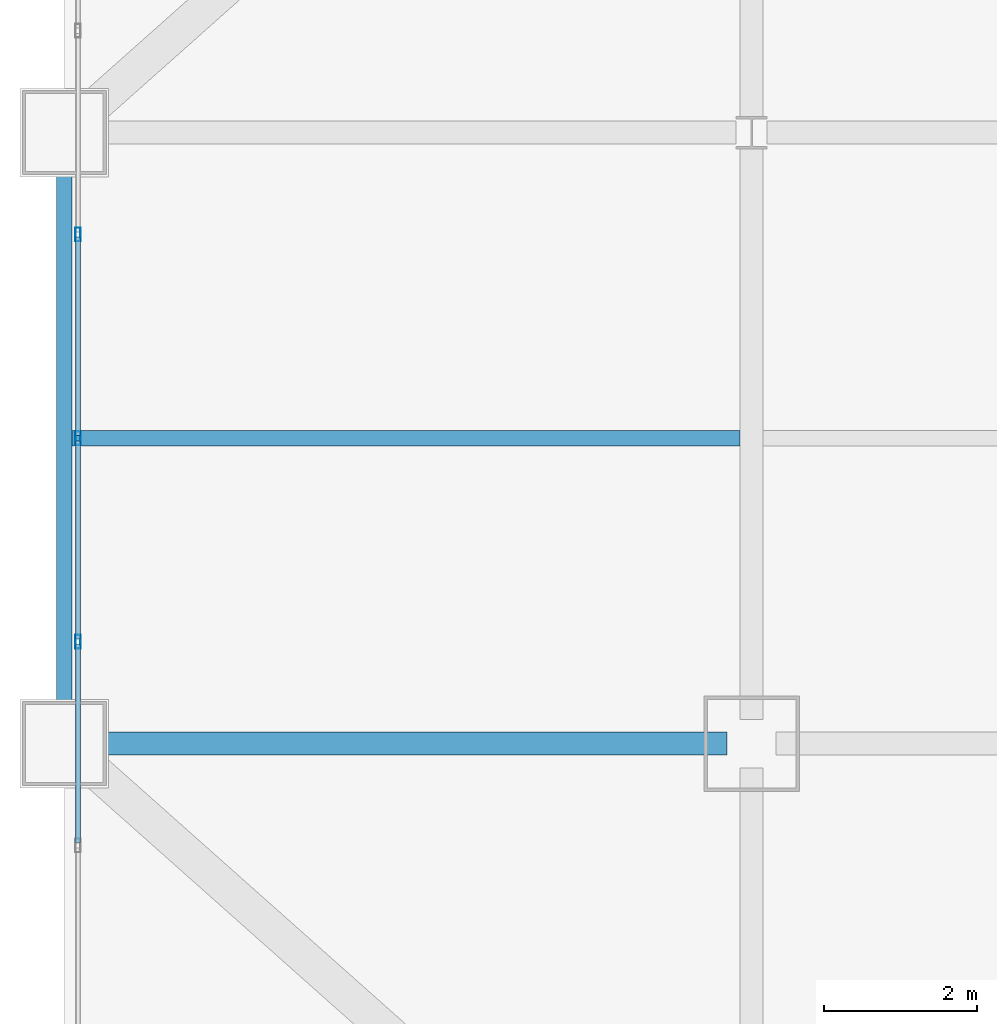
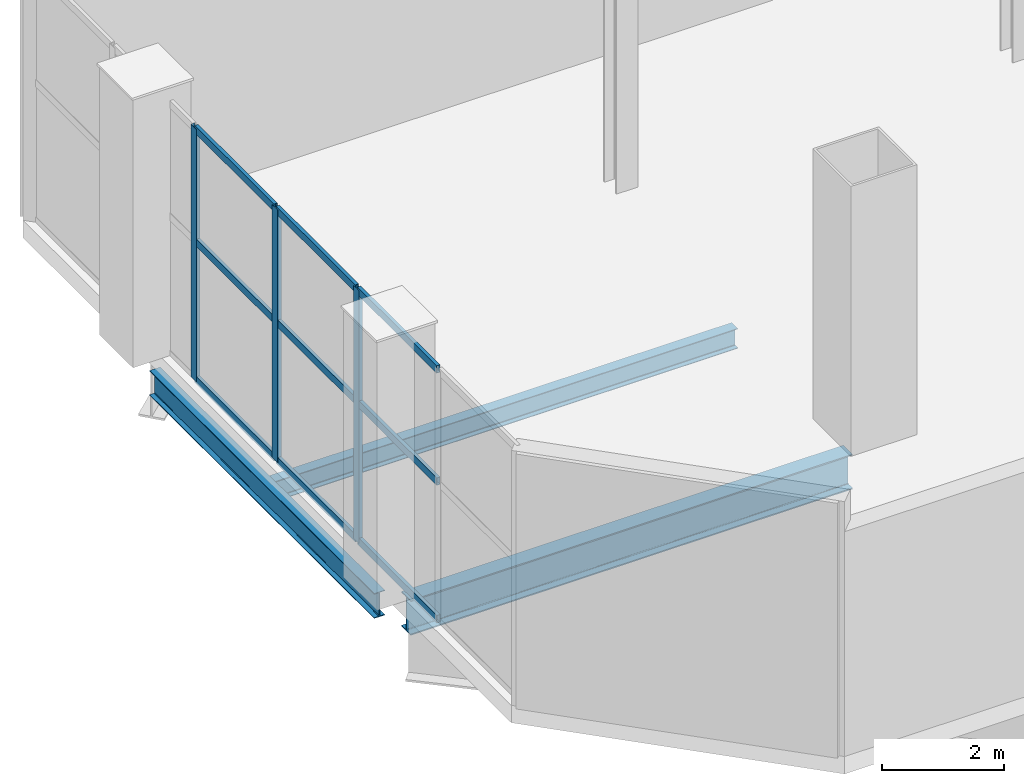
# One storey, part 15 of 26: 12 members, 3 beams, 1 element without a shape of its own.
"""IFC4 building model written with IfcOpenShell, lengths in metres."""

from ifc_helpers import new_model, si_unit, direction, frame, origin, origin_2d, place, context, subcontext, project, spatial, hollow_rectangle, i_section, extrude, material, layer, layer_set, material_profile, profile_set, type_object, element, aggregate, save


model = new_model("IFC4")

# Units and contexts
model_context = context("Model", 3, precision=1e-05, world=origin(), true_north=direction((0.0, 1.0)))
body_context = subcontext(model_context, "Body", "Model", "MODEL_VIEW")
ifc_project = project(units=[si_unit("LENGTHUNIT", "METRE"), si_unit("AREAUNIT", "SQUARE_METRE"), si_unit("VOLUMEUNIT", "CUBIC_METRE"), si_unit("PLANEANGLEUNIT", "RADIAN"), si_unit("MASSUNIT", "GRAM", prefix="KILO")], contexts=[model_context])

# Site, building, storey
site_placement = place(None, origin())
site = spatial("IfcSite", under=ifc_project, at=site_placement, CompositionType="ELEMENT")
building_placement = place(site_placement, origin())
building = spatial("IfcBuilding", under=site, at=building_placement, Name="Qianrong Seaharbour Tower", CompositionType="ELEMENT")
storey_placement = place(building_placement, frame((0.0, 0.0, 108.199951171875)))
storey = spatial("IfcBuildingStorey", under=building, at=storey_placement, Name="L26", CompositionType="ELEMENT", Elevation=108.199951171875)

# Beams
ifc_material_1 = material(Name="Structural steel SN490B", Category="steel")
ifc_material_profile_1 = material_profile(ifc_material_1, i_section(OverallWidth=0.300048828125, OverallDepth=0.699951171875, WebThickness=0.012939453125, FlangeThickness=0.02392578125, FilletRadius=0.02587890625, at=origin_2d()), Name="H700x300x13x24")
ifc_profile_set_1 = profile_set([ifc_material_profile_1], Name="Structural steel SN490B")
beam_type_1 = type_object("IfcBeamType", Name="BM-G-700", PredefinedType="BEAM", material=ifc_profile_set_1)
beam_1_placement = place(storey_placement, frame((0.320068359375, 36.0, -0.699951171875), z_axis=(1.0, 0.0, 0.0), x_axis=(0.0, 1.0, 0.0)))
element("IfcBeam", 1, at=beam_1_placement, inside=storey, type_object=beam_type_1, Name="L26 Primary Girder GF G1-G2", PredefinedType="BEAM", context=body_context, shape_type="SweptSolid", body=[
    extrude(i_section(OverallWidth=0.300048828125, OverallDepth=0.699951171875, WebThickness=0.012939453125, FlangeThickness=0.02392578125, FilletRadius=0.02587890625, at=origin_2d()), origin(), (0.0, 0.0, 1.0), 8.35986328125),
])
ifc_material_2 = material(Name="Structural steel SN400B", Category="steel")
ifc_material_profile_2 = material_profile(ifc_material_2, i_section(OverallWidth=0.199951171875, OverallDepth=0.39990234375, WebThickness=0.008056640625, FlangeThickness=0.012939453125, FilletRadius=0.01611328125, at=origin_2d()), Name="H400x200x8x13")
ifc_profile_set_2 = profile_set([ifc_material_profile_2], Name="Structural steel SN400B")
beam_type_2 = type_object("IfcBeamType", Name="BM-J-400", PredefinedType="JOIST", material=ifc_profile_set_2)
beam_2_placement = place(storey_placement, frame((0.10009765625, 40.0, -0.550048828125), z_axis=(1.0, 0.0, 0.0), x_axis=(0.0, 1.0, 0.0)))
element("IfcBeam", 2, at=beam_2_placement, inside=storey, type_object=beam_type_2, Name="L26 Composite Floor Joist G1-G2/GF-GG", PredefinedType="JOIST", context=body_context, shape_type="SweptSolid", body=[
    extrude(i_section(OverallWidth=0.199951171875, OverallDepth=0.39990234375, WebThickness=0.008056640625, FlangeThickness=0.012939453125, FilletRadius=0.01611328125, at=origin_2d()), origin(), (0.0, 0.0, 1.0), 8.75),
])
ifc_material_profile_3 = material_profile(ifc_material_1, i_section(OverallWidth=0.199951171875, OverallDepth=0.5, WebThickness=0.010009765625, FlangeThickness=0.01611328125, FilletRadius=0.02001953125, at=origin_2d()), Name="H500x200x10x16")
ifc_profile_set_3 = profile_set([ifc_material_profile_3], Name="Structural steel SN490B")
beam_type_3 = type_object("IfcBeamType", Name="BM-SP-500", PredefinedType="SPANDREL", material=ifc_profile_set_3)
beam_3_placement = place(storey_placement, frame((0.0, 36.320068359375, -0.599853515625), z_axis=(0.0, 1.0, 0.0), x_axis=(-1.0, 0.0, 0.0)))
element("IfcBeam", 3, at=beam_3_placement, inside=storey, type_object=beam_type_3, Name="L26 Spandrel Girder G1 GF-GG", PredefinedType="SPANDREL", context=body_context, shape_type="SweptSolid", body=[
    extrude(i_section(OverallWidth=0.199951171875, OverallDepth=0.5, WebThickness=0.010009765625, FlangeThickness=0.01611328125, FilletRadius=0.02001953125, at=origin_2d()), origin(), (0.0, 0.0, 1.0), 7.35986328125),
])

# Curtain wall, members
ifc_material_3 = material(Name="Anodised aluminium 6063-T6 and laminated low-e glass", Category="aluminium")
ifc_layer = layer(ifc_material_3, 0.18505859375)
ifc_layer_set = layer_set([ifc_layer], Name="Anodised aluminium 6063-T6 and laminated low-e glass")
curtain_wall_type = type_object("IfcCurtainWallType", Name="CW-SYS-4", PredefinedType="NOTDEFINED", material=ifc_layer_set)
curtain_wall_placement = place(storey_placement, origin())
curtain_wall = element("IfcCurtainWall", 4, at=curtain_wall_placement, inside=storey, type_object=curtain_wall_type, Name="L26 Refuge Acoustic Louvre Curtain Wall WEST_TIP", PredefinedType="NOTDEFINED")
ifc_material_4 = material(Name="Extruded aluminium 6063-T6", Category="aluminium")
ifc_material_profile_4 = material_profile(ifc_material_4, hollow_rectangle(XDim=0.070068359375, YDim=0.179931640625, WallThickness=0.00390625, at=origin_2d()), Name="ALU-MUL-180x70x4")
ifc_profile_set_4 = profile_set([ifc_material_profile_4], Name="Extruded aluminium 6063-T6")
member_type_1 = type_object("IfcMemberType", Name="CW-MUL-180", PredefinedType="MULLION", material=ifc_profile_set_4)
member_1_placement = place(storey_placement, frame((0.179931640625, 37.333251953125, 0.0), z_axis=(0.0, 0.0, 1.0), x_axis=(-1.0, 0.0, 0.0)))
member_1 = element("IfcMember", 5, at=member_1_placement, type_object=member_type_1, Name="CW-4 mullion 3", PredefinedType="MULLION", context=body_context, shape_type="SweptSolid", body=[
    extrude(hollow_rectangle(XDim=0.070068359375, YDim=0.179931640625, WallThickness=0.00390625, at=origin_2d()), origin(), (0.0, 0.0, 1.0), 5.06005859375),
])
member_2_placement = place(storey_placement, frame((0.179931640625, 40.0, 0.0), z_axis=(0.0, 0.0, 1.0), x_axis=(-1.0, 0.0, 0.0)))
member_2 = element("IfcMember", 6, at=member_2_placement, type_object=member_type_1, Name="CW-4 mullion 4", PredefinedType="MULLION", context=body_context, shape_type="SweptSolid", body=[
    extrude(hollow_rectangle(XDim=0.070068359375, YDim=0.179931640625, WallThickness=0.00390625, at=origin_2d()), origin(), (0.0, 0.0, 1.0), 5.06005859375),
])
member_3_placement = place(storey_placement, frame((0.179931640625, 42.666748046875, 0.0), z_axis=(0.0, 0.0, 1.0), x_axis=(-1.0, 0.0, 0.0)))
member_3 = element("IfcMember", 7, at=member_3_placement, type_object=member_type_1, Name="CW-4 mullion 5", PredefinedType="MULLION", context=body_context, shape_type="SweptSolid", body=[
    extrude(hollow_rectangle(XDim=0.070068359375, YDim=0.179931640625, WallThickness=0.00390625, at=origin_2d()), origin(), (0.0, 0.0, 1.0), 5.06005859375),
])
ifc_material_profile_5 = material_profile(ifc_material_4, hollow_rectangle(XDim=0.06494140625, YDim=0.14990234375, WallThickness=0.00390625, at=origin_2d()), Name="ALU-TRN-150x65x4")
ifc_profile_set_5 = profile_set([ifc_material_profile_5], Name="Extruded aluminium 6063-T6")
member_type_2 = type_object("IfcMemberType", Name="CW-TRN-150", PredefinedType="USERDEFINED", material=ifc_profile_set_5)
member_4_placement = place(storey_placement, frame((0.179931640625, 34.70166015625, 0.032470703125), z_axis=(0.0, 1.0, 0.0), x_axis=(-1.0, 0.0, 0.0)))
member_4 = element("IfcMember", 8, at=member_4_placement, type_object=member_type_2, Name="CW-4 transom 2.1", ObjectType="TRANSOM", PredefinedType="USERDEFINED", context=body_context, shape_type="SweptSolid", body=[
    extrude(hollow_rectangle(XDim=0.06494140625, YDim=0.14990234375, WallThickness=0.00390625, at=origin_2d()), origin(), (0.0, 0.0, 1.0), 2.5966796875),
])
member_5_placement = place(storey_placement, frame((0.179931640625, 34.70166015625, 2.782958984375), z_axis=(0.0, 1.0, 0.0), x_axis=(-1.0, 0.0, 0.0)))
member_5 = element("IfcMember", 9, at=member_5_placement, type_object=member_type_2, Name="CW-4 transom 2.2", ObjectType="TRANSOM", PredefinedType="USERDEFINED", context=body_context, shape_type="SweptSolid", body=[
    extrude(hollow_rectangle(XDim=0.06494140625, YDim=0.14990234375, WallThickness=0.00390625, at=origin_2d()), origin(), (0.0, 0.0, 1.0), 2.5966796875),
])
member_6_placement = place(storey_placement, frame((0.179931640625, 34.70166015625, 5.027587890625), z_axis=(0.0, 1.0, 0.0), x_axis=(-1.0, 0.0, 0.0)))
member_6 = element("IfcMember", 10, at=member_6_placement, type_object=member_type_2, Name="CW-4 transom 2.3", ObjectType="TRANSOM", PredefinedType="USERDEFINED", context=body_context, shape_type="SweptSolid", body=[
    extrude(hollow_rectangle(XDim=0.06494140625, YDim=0.14990234375, WallThickness=0.00390625, at=origin_2d()), origin(), (0.0, 0.0, 1.0), 2.5966796875),
])
member_7_placement = place(storey_placement, frame((0.179931640625, 37.368408203125, 0.032470703125), z_axis=(0.0, 1.0, 0.0), x_axis=(-1.0, 0.0, 0.0)))
member_7 = element("IfcMember", 11, at=member_7_placement, type_object=member_type_2, Name="CW-4 transom 3.1", ObjectType="TRANSOM", PredefinedType="USERDEFINED", context=body_context, shape_type="SweptSolid", body=[
    extrude(hollow_rectangle(XDim=0.06494140625, YDim=0.14990234375, WallThickness=0.00390625, at=origin_2d()), origin(), (0.0, 0.0, 1.0), 2.5966796875),
])
member_8_placement = place(storey_placement, frame((0.179931640625, 37.368408203125, 2.782958984375), z_axis=(0.0, 1.0, 0.0), x_axis=(-1.0, 0.0, 0.0)))
member_8 = element("IfcMember", 12, at=member_8_placement, type_object=member_type_2, Name="CW-4 transom 3.2", ObjectType="TRANSOM", PredefinedType="USERDEFINED", context=body_context, shape_type="SweptSolid", body=[
    extrude(hollow_rectangle(XDim=0.06494140625, YDim=0.14990234375, WallThickness=0.00390625, at=origin_2d()), origin(), (0.0, 0.0, 1.0), 2.5966796875),
])
member_9_placement = place(storey_placement, frame((0.179931640625, 37.368408203125, 5.027587890625), z_axis=(0.0, 1.0, 0.0), x_axis=(-1.0, 0.0, 0.0)))
member_9 = element("IfcMember", 13, at=member_9_placement, type_object=member_type_2, Name="CW-4 transom 3.3", ObjectType="TRANSOM", PredefinedType="USERDEFINED", context=body_context, shape_type="SweptSolid", body=[
    extrude(hollow_rectangle(XDim=0.06494140625, YDim=0.14990234375, WallThickness=0.00390625, at=origin_2d()), origin(), (0.0, 0.0, 1.0), 2.5966796875),
])
member_10_placement = place(storey_placement, frame((0.179931640625, 40.034912109375, 0.032470703125), z_axis=(0.0, 1.0, 0.0), x_axis=(-1.0, 0.0, 0.0)))
member_10 = element("IfcMember", 14, at=member_10_placement, type_object=member_type_2, Name="CW-4 transom 4.1", ObjectType="TRANSOM", PredefinedType="USERDEFINED", context=body_context, shape_type="SweptSolid", body=[
    extrude(hollow_rectangle(XDim=0.06494140625, YDim=0.14990234375, WallThickness=0.00390625, at=origin_2d()), origin(), (0.0, 0.0, 1.0), 2.5966796875),
])
member_11_placement = place(storey_placement, frame((0.179931640625, 40.034912109375, 2.782958984375), z_axis=(0.0, 1.0, 0.0), x_axis=(-1.0, 0.0, 0.0)))
member_11 = element("IfcMember", 15, at=member_11_placement, type_object=member_type_2, Name="CW-4 transom 4.2", ObjectType="TRANSOM", PredefinedType="USERDEFINED", context=body_context, shape_type="SweptSolid", body=[
    extrude(hollow_rectangle(XDim=0.06494140625, YDim=0.14990234375, WallThickness=0.00390625, at=origin_2d()), origin(), (0.0, 0.0, 1.0), 2.5966796875),
])
member_12_placement = place(storey_placement, frame((0.179931640625, 40.034912109375, 5.027587890625), z_axis=(0.0, 1.0, 0.0), x_axis=(-1.0, 0.0, 0.0)))
member_12 = element("IfcMember", 16, at=member_12_placement, type_object=member_type_2, Name="CW-4 transom 4.3", ObjectType="TRANSOM", PredefinedType="USERDEFINED", context=body_context, shape_type="SweptSolid", body=[
    extrude(hollow_rectangle(XDim=0.06494140625, YDim=0.14990234375, WallThickness=0.00390625, at=origin_2d()), origin(), (0.0, 0.0, 1.0), 2.5966796875),
])
aggregate(curtain_wall, [member_1, member_2, member_3, member_4, member_5, member_6, member_7, member_8, member_9, member_10, member_11, member_12])

save(model, "model.ifc")
